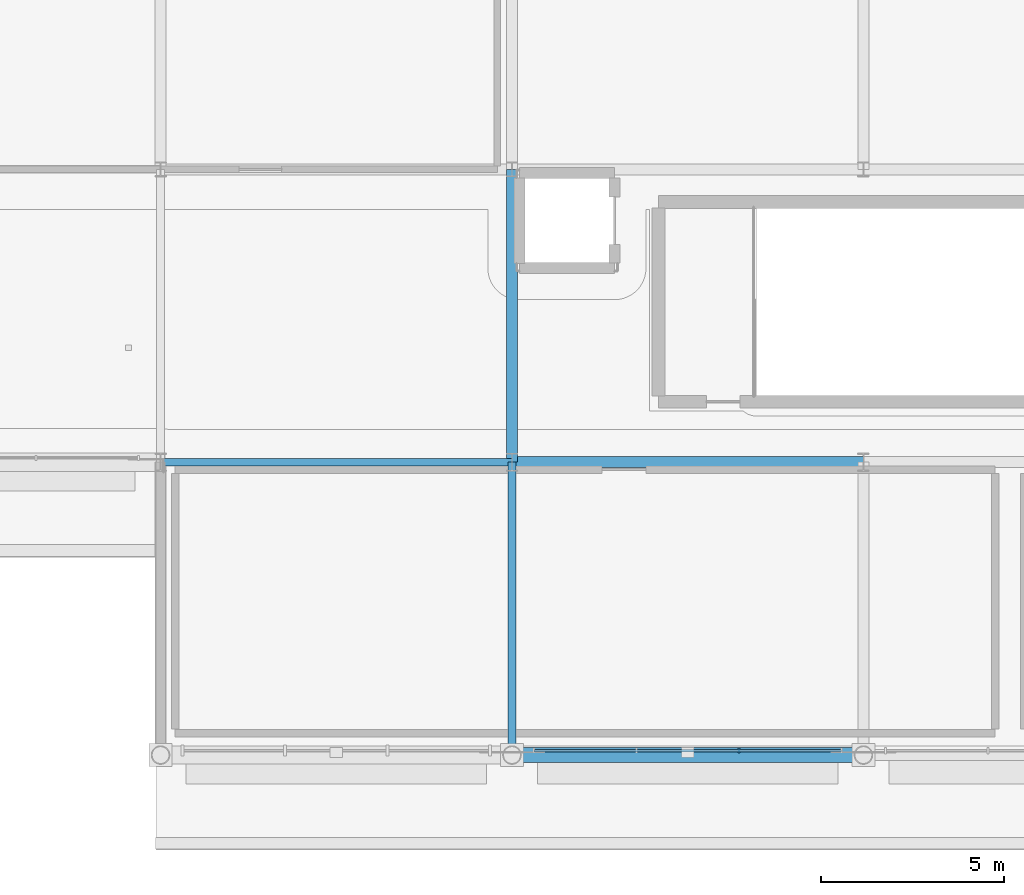
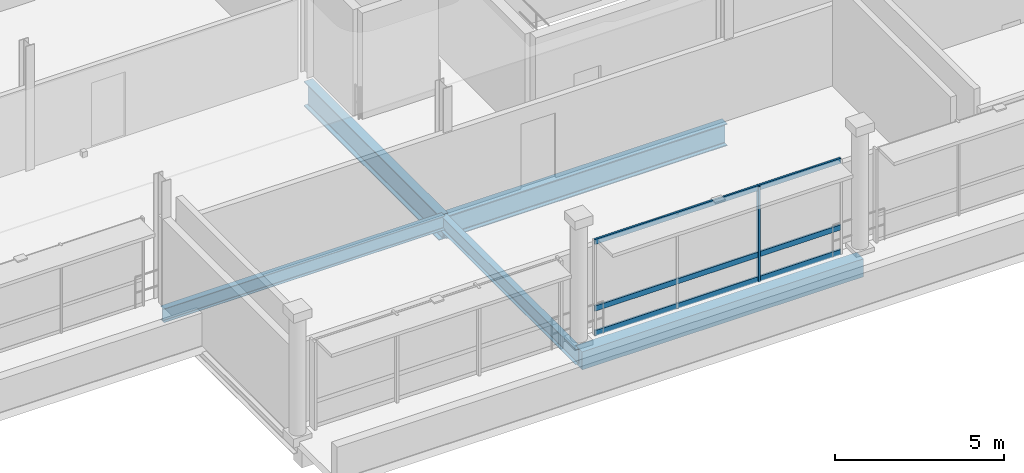
# One storey, part 30 of 59: 5 beams, 4 members, 1 element without a shape of its own.
"""IFC4 building model written with IfcOpenShell, lengths in metres."""

from ifc_helpers import new_model, si_unit, direction, frame, origin, origin_2d, place, context, subcontext, project, spatial, rectangle, i_section, extrude, material, material_profile, profile_set, type_object, element, aggregate, save


model = new_model("IFC4")

# Units and contexts
model_context = context("Model", 3, precision=1e-05, world=origin(), true_north=direction((0.0, 1.0)))
body_context = subcontext(model_context, "Body", "Model", "MODEL_VIEW")
ifc_project = project(units=[si_unit("LENGTHUNIT", "METRE"), si_unit("AREAUNIT", "SQUARE_METRE"), si_unit("VOLUMEUNIT", "CUBIC_METRE"), si_unit("PLANEANGLEUNIT", "RADIAN"), si_unit("MASSUNIT", "GRAM", prefix="KILO")], contexts=[model_context])

# Site, building, storey
site_placement = place(None, origin())
site = spatial("IfcSite", under=ifc_project, at=site_placement, CompositionType="ELEMENT")
building_placement = place(site_placement, origin())
building = spatial("IfcBuilding", under=site, at=building_placement, Name="Danafjord Basin Convention Centre", CompositionType="ELEMENT")
storey_placement = place(building_placement, frame((0.0, 0.0, 15.89990234375)))
storey = spatial("IfcBuildingStorey", under=building, at=storey_placement, Name="L03", CompositionType="ELEMENT", Elevation=15.89990234375)

# Beams
ifc_material_1 = material(Name="Steel S355", Category="steel")
ifc_material_profile_1 = material_profile(ifc_material_1, i_section(OverallWidth=0.300048828125, OverallDepth=0.800048828125, WebThickness=0.017578125, FlangeThickness=0.032958984375, FilletRadius=0.030029296875, at=origin_2d()), Name="HEB 800")
ifc_profile_set_1 = profile_set([ifc_material_profile_1], Name="Steel S355")
beam_type_1 = type_object("IfcBeamType", Name="BEAM-BM-HEB800", PredefinedType="BEAM", material=ifc_profile_set_1)
beam_1_placement = place(storey_placement, frame((182.39990234375, 8.0, -0.6240234375), z_axis=(1.0, 0.0, 0.0), x_axis=(0.0, 1.0, 0.0)))
element("IfcBeam", 1, at=beam_1_placement, inside=storey, type_object=beam_type_1, Name="L03 girder BM-HEB800", PredefinedType="BEAM", context=body_context, shape_type="SweptSolid", body=[
    extrude(i_section(OverallWidth=0.300048828125, OverallDepth=0.800048828125, WebThickness=0.017578125, FlangeThickness=0.032958984375, FilletRadius=0.030029296875, at=origin_2d()), origin(), (0.0, 0.0, 1.0), 9.60009765625),
])
ifc_material_profile_2 = material_profile(ifc_material_1, i_section(OverallWidth=0.300048828125, OverallDepth=0.89990234375, WebThickness=0.0185546875, FlangeThickness=0.034912109375, FilletRadius=0.030029296875, at=origin_2d()), Name="HEB 900")
ifc_profile_set_2 = profile_set([ifc_material_profile_2], Name="Steel S355")
beam_type_2 = type_object("IfcBeamType", Name="BEAM-BM-HEB900", PredefinedType="BEAM", material=ifc_profile_set_2)
beam_2_placement = place(storey_placement, frame((182.39990234375, 8.0, -0.673828125), z_axis=(0.0, 1.0, 0.0), x_axis=(-1.0, 0.0, 0.0)))
element("IfcBeam", 2, at=beam_2_placement, inside=storey, type_object=beam_type_2, Name="L03 transverse girder BM-HEB900", PredefinedType="BEAM", context=body_context, shape_type="SweptSolid", body=[
    extrude(i_section(OverallWidth=0.300048828125, OverallDepth=0.89990234375, WebThickness=0.0185546875, FlangeThickness=0.034912109375, FilletRadius=0.030029296875, at=origin_2d()), origin(), (0.0, 0.0, 1.0), 8.0),
])
ifc_material_profile_3 = material_profile(ifc_material_1, i_section(OverallWidth=0.199951171875, OverallDepth=0.5, WebThickness=0.01025390625, FlangeThickness=0.01611328125, FilletRadius=0.02099609375, at=origin_2d()), Name="IPE 500")
ifc_profile_set_3 = profile_set([ifc_material_profile_3], Name="Steel S355")
beam_type_3 = type_object("IfcBeamType", Name="BEAM-BM-IPE500", PredefinedType="BEAM", material=ifc_profile_set_3)
beam_3_placement = place(storey_placement, frame((172.800048828125, 8.0, -0.473876953125), z_axis=(1.0, 0.0, 0.0), x_axis=(0.0, 1.0, 0.0)))
element("IfcBeam", 3, at=beam_3_placement, inside=storey, type_object=beam_type_3, Name="L03 girder BM-IPE500", PredefinedType="BEAM", context=body_context, shape_type="SweptSolid", body=[
    extrude(i_section(OverallWidth=0.199951171875, OverallDepth=0.5, WebThickness=0.01025390625, FlangeThickness=0.01611328125, FilletRadius=0.02099609375, at=origin_2d()), origin(), (0.0, 0.0, 1.0), 9.599853515625),
])
ifc_material_profile_4 = material_profile(ifc_material_1, i_section(OverallWidth=0.2099609375, OverallDepth=0.550048828125, WebThickness=0.010986328125, FlangeThickness=0.01708984375, FilletRadius=0.02392578125, at=origin_2d()), Name="IPE 550")
ifc_profile_set_4 = profile_set([ifc_material_profile_4], Name="Steel S355")
beam_type_4 = type_object("IfcBeamType", Name="BEAM-BM-IPE550", PredefinedType="BEAM", material=ifc_profile_set_4)
beam_4_placement = place(storey_placement, frame((182.39990234375, 0.0, -0.4990234375), z_axis=(0.0, 1.0, 0.0), x_axis=(-1.0, 0.0, 0.0)))
element("IfcBeam", 4, at=beam_4_placement, inside=storey, type_object=beam_type_4, Name="L03 transverse girder BM-IPE550", PredefinedType="BEAM", context=body_context, shape_type="SweptSolid", body=[
    extrude(i_section(OverallWidth=0.2099609375, OverallDepth=0.550048828125, WebThickness=0.010986328125, FlangeThickness=0.01708984375, FilletRadius=0.02392578125, at=origin_2d()), origin(), (0.0, 0.0, 1.0), 8.0),
])
ifc_material_2 = material(Name="Precast concrete C45/55", Category="concrete")
ifc_material_profile_5 = material_profile(ifc_material_2, rectangle(XDim=0.39990234375, YDim=0.64990234375, at=origin_2d()), Name="PCB 400x650")
ifc_profile_set_5 = profile_set([ifc_material_profile_5], Name="Precast concrete C45/55")
beam_type_5 = type_object("IfcBeamType", Name="BEAM-SP-PCB650", PredefinedType="SPANDREL", material=ifc_profile_set_5)
beam_5_placement = place(storey_placement, frame((182.39990234375, 0.0, -0.548828125), z_axis=(1.0, 0.0, 0.0), x_axis=(0.0, 1.0, 0.0)))
element("IfcBeam", 5, at=beam_5_placement, inside=storey, type_object=beam_type_5, Name="L03 girder SP-PCB650", PredefinedType="SPANDREL", context=body_context, shape_type="SweptSolid", body=[
    extrude(rectangle(XDim=0.39990234375, YDim=0.64990234375, at=origin_2d()), origin(), (0.0, 0.0, 1.0), 9.60009765625),
])

# Curtain wall, members
ifc_material_3 = material(Name="Anodised aluminium and triple glazing", Category="aluminium")
curtain_wall_type = type_object("IfcCurtainWallType", Name="CW-CW-HARB", PredefinedType="NOTDEFINED", material=ifc_material_3)
curtain_wall_placement = place(storey_placement, origin())
curtain_wall = element("IfcCurtainWall", 6, at=curtain_wall_placement, inside=storey, type_object=curtain_wall_type, Name="L03 CW-HARB unitised curtain wall bay 140", PredefinedType="NOTDEFINED")
ifc_material_4 = material(Name="Anodised aluminium EN AW-6060", Category="aluminium")
ifc_material_profile_6 = material_profile(ifc_material_4, rectangle(XDim=0.06005859375, YDim=0.139892578125, at=origin_2d()), Name="MULL 60x140")
ifc_profile_set_6 = profile_set([ifc_material_profile_6], Name="Anodised aluminium EN AW-6060")
member_type_1 = type_object("IfcMemberType", Name="MEM-ML-140", PredefinedType="MULLION", material=ifc_profile_set_6)
member_1_placement = place(storey_placement, frame((188.60009765625, 0.1201171875, -0.02490234375), z_axis=(0.0, 0.0, 1.0), x_axis=(1.0, 0.0, 0.0)))
member_1 = element("IfcMember", 7, at=member_1_placement, type_object=member_type_1, Name="CW-L03-140 mullion 3", PredefinedType="MULLION", context=body_context, shape_type="SweptSolid", body=[
    extrude(rectangle(XDim=0.06005859375, YDim=0.139892578125, at=origin_2d()), origin(), (0.0, 0.0, 1.0), 3.449951171875),
])
ifc_material_profile_7 = material_profile(ifc_material_4, rectangle(XDim=0.06494140625, YDim=0.18994140625, at=origin_2d()), Name="TRAN 65x190")
ifc_profile_set_7 = profile_set([ifc_material_profile_7], Name="Anodised aluminium EN AW-6060")
member_type_2 = type_object("IfcMemberType", Name="MEM-TR-190", PredefinedType="USERDEFINED", material=ifc_profile_set_7)
member_2_placement = place(storey_placement, frame((183.0, 0.1201171875, 0.06005859375), z_axis=(1.0, 0.0, 0.0), x_axis=(0.0, 1.0, 0.0)))
member_2 = element("IfcMember", 8, at=member_2_placement, type_object=member_type_2, Name="CW-L03-140 transom 1", ObjectType="TRANSOM", PredefinedType="USERDEFINED", context=body_context, shape_type="SweptSolid", body=[
    extrude(rectangle(XDim=0.06494140625, YDim=0.18994140625, at=origin_2d()), origin(), (0.0, 0.0, 1.0), 8.39990234375),
])
member_3_placement = place(storey_placement, frame((183.0, 0.1201171875, 0.9501953125), z_axis=(1.0, 0.0, 0.0), x_axis=(0.0, 1.0, 0.0)))
member_3 = element("IfcMember", 9, at=member_3_placement, type_object=member_type_2, Name="CW-L03-140 transom 2", ObjectType="TRANSOM", PredefinedType="USERDEFINED", context=body_context, shape_type="SweptSolid", body=[
    extrude(rectangle(XDim=0.06494140625, YDim=0.18994140625, at=origin_2d()), origin(), (0.0, 0.0, 1.0), 8.39990234375),
])
member_4_placement = place(storey_placement, frame((183.0, 0.1201171875, 3.35498046875), z_axis=(1.0, 0.0, 0.0), x_axis=(0.0, 1.0, 0.0)))
member_4 = element("IfcMember", 10, at=member_4_placement, type_object=member_type_2, Name="CW-L03-140 transom 3", ObjectType="TRANSOM", PredefinedType="USERDEFINED", context=body_context, shape_type="SweptSolid", body=[
    extrude(rectangle(XDim=0.06494140625, YDim=0.18994140625, at=origin_2d()), origin(), (0.0, 0.0, 1.0), 8.39990234375),
])
aggregate(curtain_wall, [member_1, member_2, member_3, member_4])

save(model, "model.ifc")
